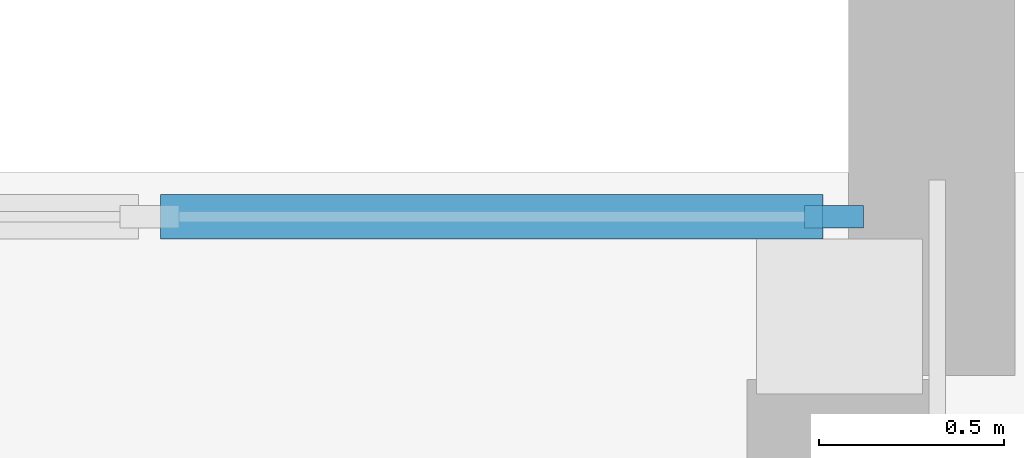
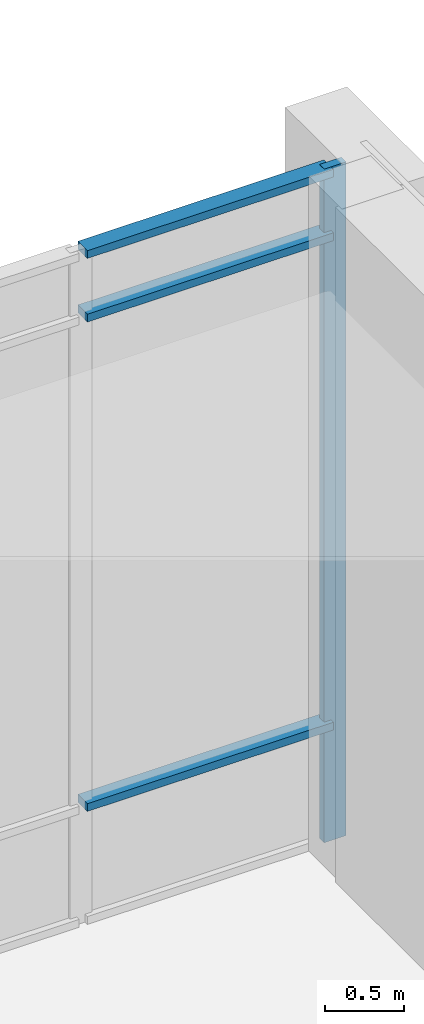
# One storey, part 24 of 48: 4 members, 1 element without a shape of its own.
"""IFC4 building model written with IfcOpenShell, lengths in metres."""

from ifc_helpers import new_model, si_unit, direction, frame, origin, origin_2d, place, context, subcontext, project, spatial, rectangle, extrude, material, layer, layer_set, material_profile, profile_set, type_object, element, aggregate, save


model = new_model("IFC4")

# Units and contexts
model_context = context("Model", 3, precision=1e-05, world=origin(), true_north=direction((0.0, 1.0)))
body_context = subcontext(model_context, "Body", "Model", "MODEL_VIEW")
ifc_project = project(units=[si_unit("LENGTHUNIT", "METRE"), si_unit("AREAUNIT", "SQUARE_METRE"), si_unit("VOLUMEUNIT", "CUBIC_METRE"), si_unit("PLANEANGLEUNIT", "RADIAN"), si_unit("MASSUNIT", "GRAM", prefix="KILO")], contexts=[model_context])

# Site, building, storey
site_placement = place(None, origin())
site = spatial("IfcSite", under=ifc_project, at=site_placement, CompositionType="ELEMENT")
building_placement = place(site_placement, origin())
building = spatial("IfcBuilding", under=site, at=building_placement, Name="Valkorina Park Police Headquarters", CompositionType="ELEMENT")
storey_placement = place(building_placement, frame((0.0, 0.0, 18.10009765625)))
storey = spatial("IfcBuildingStorey", under=building, at=storey_placement, Name="L05", CompositionType="ELEMENT", Elevation=18.10009765625)

# Curtain wall, members
ifc_material = material(Name="Thermally broken aluminium AW-6060", Category="aluminium")
ifc_layer = layer(ifc_material, 0.18994140625)
ifc_layer_set = layer_set([ifc_layer], Name="Thermally broken aluminium AW-6060")
curtain_wall_type = type_object("IfcCurtainWallType", Name="CW-CMD-7530x5190", PredefinedType="NOTDEFINED", material=ifc_layer_set)
curtain_wall_placement = place(storey_placement, origin())
curtain_wall = element("IfcCurtainWall", 1, at=curtain_wall_placement, inside=storey, type_object=curtain_wall_type, Name="L05 Unitised Curtain Wall 093", PredefinedType="NOTDEFINED")
ifc_material_profile_1 = material_profile(ifc_material, rectangle(XDim=0.06005859375, YDim=0.159912109375, at=origin_2d()), Name="CWM-01 60x160")
ifc_profile_set_1 = profile_set([ifc_material_profile_1], Name="Thermally broken aluminium AW-6060")
member_type_1 = type_object("IfcMemberType", Name="CWM-60x160", PredefinedType="MULLION", material=ifc_profile_set_1)
member_1_placement = place(storey_placement, frame((128.534912109375, 81.280029296875, 0.0), z_axis=(0.0, 0.0, 1.0), x_axis=(0.0, 1.0, 0.0)))
member_1 = element("IfcMember", 2, at=member_1_placement, type_object=member_type_1, Name="CW-CMD-753-519 mullion 5", PredefinedType="MULLION", context=body_context, shape_type="SweptSolid", body=[
    extrude(rectangle(XDim=0.06005859375, YDim=0.159912109375, at=origin_2d()), origin(), (0.0, 0.0, 1.0), 5.18994140625),
])
ifc_material_profile_2 = material_profile(ifc_material, rectangle(XDim=0.1201171875, YDim=0.06005859375, at=origin_2d()), Name="CWT-01 120x60")
ifc_profile_set_2 = profile_set([ifc_material_profile_2], Name="Thermally broken aluminium AW-6060")
member_type_2 = type_object("IfcMemberType", Name="CWT-120x60", PredefinedType="USERDEFINED", material=ifc_profile_set_2)
member_2_placement = place(storey_placement, frame((126.71240234375, 81.280029296875, 0.89990234375), z_axis=(1.0, 0.0, 0.0), x_axis=(0.0, 1.0, 0.0)))
member_2 = element("IfcMember", 3, at=member_2_placement, type_object=member_type_2, Name="CW-CMD-753-519 transom 4.2", ObjectType="TRANSOM", PredefinedType="USERDEFINED", context=body_context, shape_type="SweptSolid", body=[
    extrude(rectangle(XDim=0.1201171875, YDim=0.06005859375, at=origin_2d()), origin(), (0.0, 0.0, 1.0), 1.79248046875),
])
member_3_placement = place(storey_placement, frame((126.71240234375, 81.280029296875, 4.669921875), z_axis=(1.0, 0.0, 0.0), x_axis=(0.0, 1.0, 0.0)))
member_3 = element("IfcMember", 4, at=member_3_placement, type_object=member_type_2, Name="CW-CMD-753-519 transom 4.3", ObjectType="TRANSOM", PredefinedType="USERDEFINED", context=body_context, shape_type="SweptSolid", body=[
    extrude(rectangle(XDim=0.1201171875, YDim=0.06005859375, at=origin_2d()), origin(), (0.0, 0.0, 1.0), 1.79248046875),
])
member_4_placement = place(storey_placement, frame((126.71240234375, 81.280029296875, 5.159912109375), z_axis=(1.0, 0.0, 0.0), x_axis=(0.0, 1.0, 0.0)))
member_4 = element("IfcMember", 5, at=member_4_placement, type_object=member_type_2, Name="CW-CMD-753-519 transom 4.4", ObjectType="TRANSOM", PredefinedType="USERDEFINED", context=body_context, shape_type="SweptSolid", body=[
    extrude(rectangle(XDim=0.1201171875, YDim=0.06005859375, at=origin_2d()), origin(), (0.0, 0.0, 1.0), 1.79248046875),
])
aggregate(curtain_wall, [member_1, member_2, member_3, member_4])

save(model, "model.ifc")
